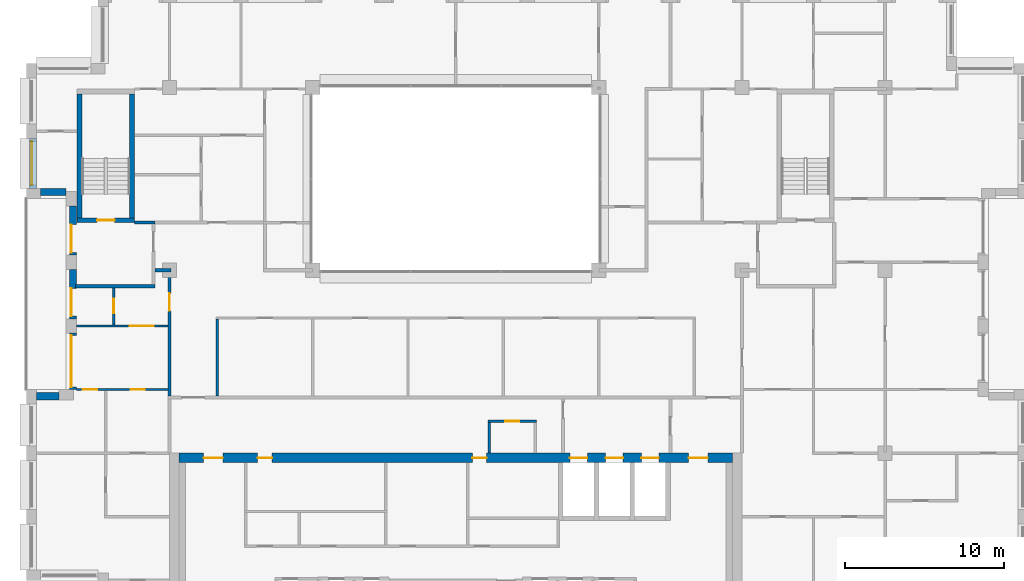
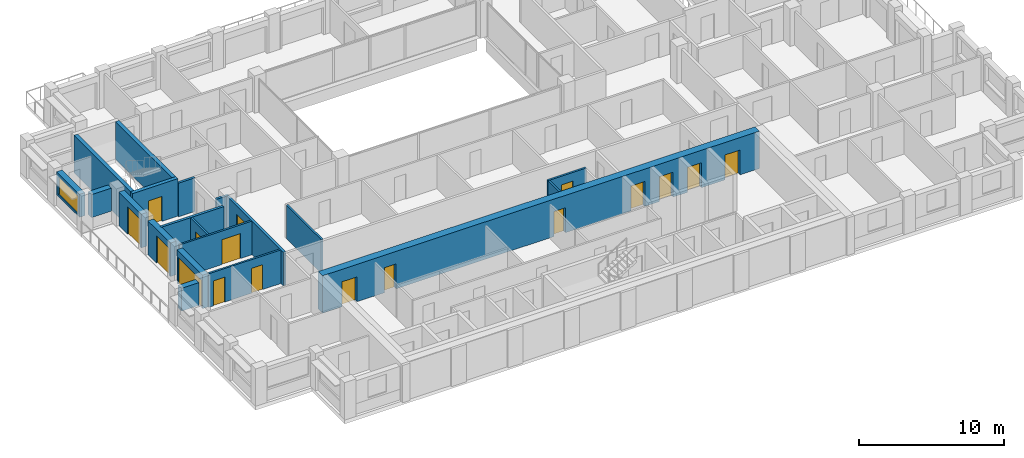
# One storey, part 9 of 16: 20 walls, 17 doors, 1 window, 18 openings.
"""IFC4 building model written with IfcOpenShell, lengths in metres."""

from ifc_helpers import new_model, si_unit, direction, frame, frame_2d, origin, place, context, subcontext, project, spatial, rectangle, extrude, material, layer, layer_set, type_object, element, fill, save


model = new_model("IFC4")

# Units and contexts
model_context = context("Model", 3, precision=1e-05, world=origin(), true_north=direction((0.0, 1.0)))
body_context = subcontext(model_context, "Body", "Model", "MODEL_VIEW")
ifc_project = project(units=[si_unit("LENGTHUNIT", "METRE"), si_unit("AREAUNIT", "SQUARE_METRE"), si_unit("VOLUMEUNIT", "CUBIC_METRE"), si_unit("PLANEANGLEUNIT", "RADIAN"), si_unit("MASSUNIT", "GRAM", prefix="KILO")], contexts=[model_context])

# Site, building, storey
site_placement = place(None, origin())
site = spatial("IfcSite", under=ifc_project, at=site_placement, CompositionType="ELEMENT")
building_placement = place(site_placement, origin())
building = spatial("IfcBuilding", under=site, at=building_placement, Name="Brigalow Station Residences", CompositionType="ELEMENT")
storey_placement = place(building_placement, frame((0.0, 0.0, 204.300048828125)))
storey = spatial("IfcBuildingStorey", under=building, at=storey_placement, Name="L58", CompositionType="ELEMENT", Elevation=204.300048828125)

# Wall, opening, window
ifc_material_1 = material(Name="Clay brick masonry", Category="masonry")
ifc_layer_1 = layer(ifc_material_1, 0.449951171875)
ifc_layer_set_1 = layer_set([ifc_layer_1], Name="BRICK INFILL WALL 450")
wall_type_1 = type_object("IfcWallType", Name="BRICK INFILL WALL 450", PredefinedType="SOLIDWALL", material=ifc_layer_set_1)
wall_1_placement = place(storey_placement, frame((9.425048828125, 32.300048828125, 0.89990234375), z_axis=(0.0, 0.0, 1.0), x_axis=(0.0, -1.0, 0.0)))
wall_1 = element("IfcWall", 1, at=wall_1_placement, inside=storey, type_object=wall_type_1, Name="L58/ewall/W-L58-35", PredefinedType="SOLIDWALL", context=body_context, shape_type="SweptSolid", body=[
    extrude(rectangle(XDim=3.150146484375, YDim=0.449951171875, at=frame_2d((1.5751953125, 0.0))), origin(), (0.0, 0.0, 1.0), 1.929931640625),
])
opening_1_placement = place(wall_1_placement, frame((0.199951171875, 0.0, 0.14990234375)))
opening_1 = element("IfcOpeningElement", 2, at=opening_1_placement, cuts=wall_1, Name="Opening WT-3", PredefinedType="OPENING", context=body_context, shape_type="SweptSolid", body=[
    extrude(rectangle(XDim=2.75, YDim=1.5, at=frame_2d((1.375, 0.75))), frame((0.0, 0.23486328125, 0.0), z_axis=(0.0, -1.0, 0.0), x_axis=(1.0, 0.0, 0.0)), (0.0, 0.0, 1.0), 0.469970703125),
])
ifc_material_2 = material(Name="Anodised aluminium frame with double glazing", Category="aluminium")
window_type = type_object("IfcWindowType", Name="WINDOW 2750x1500", PartitioningType="SINGLE_PANEL", PredefinedType="WINDOW", material=ifc_material_2)
window_placement = place(opening_1_placement, origin())
window = element("IfcWindow", 3, at=window_placement, inside=storey, type_object=window_type, Name="L58/window/W-L58-35", OverallHeight=1.5, OverallWidth=2.75, PartitioningType="SINGLE_PANEL", PredefinedType="WINDOW", context=body_context, shape_type="SweptSolid", body=[
    extrude(rectangle(XDim=2.75, YDim=1.5, at=frame_2d((1.375, 0.75))), frame((0.0, -0.06494140625, 0.0), z_axis=(0.0, -1.0, 0.0), x_axis=(1.0, 0.0, 0.0)), (0.0, 0.0, 1.0), 0.06005859375),
])
fill(opening_1, window)

# Wall
wall_2_placement = place(storey_placement, frame((9.89990234375, 28.925048828125, 0.89990234375), z_axis=(0.0, 0.0, 1.0), x_axis=(1.0, 0.0, 0.0)))
element("IfcWall", 4, at=wall_2_placement, inside=storey, type_object=wall_type_1, Name="L58/ewall/W-L58-36", PredefinedType="SOLIDWALL", context=body_context, shape_type="SweptSolid", body=[
    extrude(rectangle(XDim=1.60009765625, YDim=0.449951171875, at=frame_2d((0.800048828125, 0.0))), origin(), (0.0, 0.0, 1.0), 1.929931640625),
])

# Wall, opening, door
wall_3_placement = place(storey_placement, frame((11.925048828125, 28.050048828125, 0.0), z_axis=(0.0, 0.0, 1.0), x_axis=(0.0, -1.0, 0.0)))
wall_3 = element("IfcWall", 5, at=wall_3_placement, inside=storey, type_object=wall_type_1, Name="L58/ewall/W-L58-37", PredefinedType="SOLIDWALL", context=body_context, shape_type="SweptSolid", body=[
    extrude(rectangle(XDim=3.10009765625, YDim=0.449951171875, at=frame_2d((1.550048828125, 0.0))), origin(), (0.0, 0.0, 1.0), 2.829833984375),
])
opening_2_placement = place(wall_3_placement, frame((1.18505859375, 0.0, 0.0)))
opening_2 = element("IfcOpeningElement", 6, at=opening_2_placement, cuts=wall_3, Name="Opening D-B1750", PredefinedType="OPENING", context=body_context, shape_type="SweptSolid", body=[
    extrude(rectangle(XDim=1.75, YDim=2.300048828125, at=frame_2d((0.875, 1.14990234375))), frame((0.0, 0.23486328125, 0.0), z_axis=(0.0, -1.0, 0.0), x_axis=(1.0, 0.0, 0.0)), (0.0, 0.0, 1.0), 0.469970703125),
])
ifc_material_3 = material(Name="Anodised aluminium frame with double glazing", Category="aluminium")
door_type_1 = type_object("IfcDoorType", Name="BALCONY SLIDING DOOR 1750x2300", OperationType="SLIDING_TO_LEFT", PredefinedType="DOOR", material=ifc_material_3)
door_1_placement = place(opening_2_placement, frame((1.75, -0.18994140625, 0.0), z_axis=(0.0, 0.0, 1.0), x_axis=(-1.0, 0.0, 0.0)))
door_1 = element("IfcDoor", 7, at=door_1_placement, inside=storey, type_object=door_type_1, Name="L58/balcony-door/W-L58-37", OperationType="SLIDING_TO_LEFT", OverallHeight=2.300048828125, OverallWidth=1.75, PredefinedType="DOOR", context=body_context, shape_type="SweptSolid", body=[
    extrude(rectangle(XDim=1.75, YDim=2.300048828125, at=frame_2d((0.875, 1.14990234375))), frame((0.0, -0.06982421875, 0.0), z_axis=(0.0, -1.0, 0.0), x_axis=(1.0, 0.0, 0.0)), (0.0, 0.0, 1.0), 0.050048828125),
])
fill(opening_2, door_1)

wall_4_placement = place(storey_placement, frame((11.925048828125, 24.050048828125, 0.0), z_axis=(0.0, 0.0, 1.0), x_axis=(0.0, -1.0, 0.0)))
wall_4 = element("IfcWall", 8, at=wall_4_placement, inside=storey, type_object=wall_type_1, Name="L58/ewall/W-L58-38", PredefinedType="SOLIDWALL", context=body_context, shape_type="SweptSolid", body=[
    extrude(rectangle(XDim=3.10009765625, YDim=0.449951171875, at=frame_2d((1.550048828125, 0.0))), origin(), (0.0, 0.0, 1.0), 2.829833984375),
])
opening_3_placement = place(wall_4_placement, frame((1.18505859375, 0.0, 0.0)))
opening_3 = element("IfcOpeningElement", 9, at=opening_3_placement, cuts=wall_4, Name="Opening D-B1750", PredefinedType="OPENING", context=body_context, shape_type="SweptSolid", body=[
    extrude(rectangle(XDim=1.75, YDim=2.300048828125, at=frame_2d((0.875, 1.14990234375))), frame((0.0, 0.23486328125, 0.0), z_axis=(0.0, -1.0, 0.0), x_axis=(1.0, 0.0, 0.0)), (0.0, 0.0, 1.0), 0.469970703125),
])
door_2_placement = place(opening_3_placement, origin())
door_2 = element("IfcDoor", 10, at=door_2_placement, inside=storey, type_object=door_type_1, Name="L58/balcony-door/W-L58-38", OperationType="SLIDING_TO_LEFT", OverallHeight=2.300048828125, OverallWidth=1.75, PredefinedType="DOOR", context=body_context, shape_type="SweptSolid", body=[
    extrude(rectangle(XDim=1.75, YDim=2.300048828125, at=frame_2d((0.875, 1.14990234375))), frame((0.0, -0.06982421875, 0.0), z_axis=(0.0, -1.0, 0.0), x_axis=(1.0, 0.0, 0.0)), (0.0, 0.0, 1.0), 0.050048828125),
])
fill(opening_3, door_2)

wall_5_placement = place(storey_placement, frame((11.925048828125, 20.050048828125, 0.0), z_axis=(0.0, 0.0, 1.0), x_axis=(0.0, -1.0, 0.0)))
wall_5 = element("IfcWall", 11, at=wall_5_placement, inside=storey, type_object=wall_type_1, Name="L58/ewall/W-L58-39", PredefinedType="SOLIDWALL", context=body_context, shape_type="SweptSolid", body=[
    extrude(rectangle(XDim=3.550048828125, YDim=0.449951171875, at=frame_2d((1.77490234375, 0.0))), origin(), (0.0, 0.0, 1.0), 2.829833984375),
])
opening_4_placement = place(wall_5_placement, frame((0.14990234375, 0.0, 0.0)))
opening_4 = element("IfcOpeningElement", 12, at=opening_4_placement, cuts=wall_5, Name="Opening D-B3250", PredefinedType="OPENING", context=body_context, shape_type="SweptSolid", body=[
    extrude(rectangle(XDim=3.25, YDim=2.300048828125, at=frame_2d((1.625, 1.14990234375))), frame((0.0, 0.23486328125, 0.0), z_axis=(0.0, -1.0, 0.0), x_axis=(1.0, 0.0, 0.0)), (0.0, 0.0, 1.0), 0.469970703125),
])
ifc_material_4 = material(Name="Anodised aluminium frame with double glazing", Category="aluminium")
door_type_2 = type_object("IfcDoorType", Name="BALCONY SLIDING DOOR 3250x2300", OperationType="SLIDING_TO_LEFT", PredefinedType="DOOR", material=ifc_material_4)
door_3_placement = place(opening_4_placement, origin())
door_3 = element("IfcDoor", 13, at=door_3_placement, inside=storey, type_object=door_type_2, Name="L58/balcony-door/W-L58-39", OperationType="SLIDING_TO_LEFT", OverallHeight=2.300048828125, OverallWidth=3.25, PredefinedType="DOOR", context=body_context, shape_type="SweptSolid", body=[
    extrude(rectangle(XDim=3.25, YDim=2.300048828125, at=frame_2d((1.625, 1.14990234375))), frame((0.0, -0.06982421875, 0.0), z_axis=(0.0, -1.0, 0.0), x_axis=(1.0, 0.0, 0.0)), (0.0, 0.0, 1.0), 0.050048828125),
])
fill(opening_4, door_3)

# Wall
wall_6_placement = place(storey_placement, frame((11.050048828125, 16.074951171875, 0.89990234375), z_axis=(0.0, 0.0, 1.0), x_axis=(-1.0, 0.0, 0.0)))
element("IfcWall", 14, at=wall_6_placement, inside=storey, type_object=wall_type_1, Name="L58/ewall/W-L58-40", PredefinedType="SOLIDWALL", context=body_context, shape_type="SweptSolid", body=[
    extrude(rectangle(XDim=1.400146484375, YDim=0.449951171875, at=frame_2d((0.7001953125, 0.0))), origin(), (0.0, 0.0, 1.0), 1.929931640625),
])

# Wall, opening, door
ifc_material_5 = material(Name="Concrete C50", Category="concrete")
ifc_layer_2 = layer(ifc_material_5, 0.300048828125)
ifc_layer_set_2 = layer_set([ifc_layer_2], Name="CORE SHEAR WALL 300 C50")
wall_type_2 = type_object("IfcWallType", Name="CORE SHEAR WALL 300 C50", PredefinedType="SHEAR", material=ifc_layer_set_2)
wall_7_placement = place(storey_placement, frame((12.199951171875, 27.14990234375, 0.0), z_axis=(0.0, 0.0, 1.0), x_axis=(1.0, 0.0, 0.0)))
wall_7 = element("IfcWall", 15, at=wall_7_placement, inside=storey, type_object=wall_type_2, Name="CORE WALL ST-S1-S L58", PredefinedType="SHEAR", context=body_context, shape_type="SweptSolid", body=[
    extrude(rectangle(XDim=3.60009765625, YDim=0.300048828125, at=frame_2d((1.800048828125, 0.0))), origin(), (0.0, 0.0, 1.0), 3.14990234375),
])
opening_5_placement = place(wall_7_placement, frame((1.25, 0.0, 0.0)))
opening_5 = element("IfcOpeningElement", 16, at=opening_5_placement, cuts=wall_7, Name="Opening D-5015", PredefinedType="OPENING", context=body_context, shape_type="SweptSolid", body=[
    extrude(rectangle(XDim=1.10009765625, YDim=2.10009765625, at=frame_2d((0.550048828125, 1.050048828125))), frame((0.0, 0.16015625, 0.0), z_axis=(0.0, -1.0, 0.0), x_axis=(1.0, 0.0, 0.0)), (0.0, 0.0, 1.0), 0.320068359375),
])
ifc_material_6 = material(Name="Steel fire door leaf in steel frame", Category="steel")
door_type_3 = type_object("IfcDoorType", Name="STAIR DOOR 1100 x 2100 FD60S", OperationType="SINGLE_SWING_LEFT", PredefinedType="DOOR", material=ifc_material_6)
door_4_placement = place(opening_5_placement, origin())
door_4 = element("IfcDoor", 17, at=door_4_placement, inside=storey, type_object=door_type_3, Name="D-5015", OperationType="SINGLE_SWING_LEFT", OverallHeight=2.10009765625, OverallWidth=1.10009765625, PredefinedType="DOOR", context=body_context, shape_type="SweptSolid", body=[
    extrude(rectangle(XDim=1.10009765625, YDim=2.10009765625, at=frame_2d((0.550048828125, 1.050048828125))), frame((0.0, 0.02490234375, 0.0), z_axis=(0.0, -1.0, 0.0), x_axis=(1.0, 0.0, 0.0)), (0.0, 0.0, 1.0), 0.050048828125),
])
fill(opening_5, door_4)

# Walls
for number, where, z_axis, x_axis, name in (
    (18, (12.35009765625, 27.300048828125, 0.0), (0.0, 0.0, 1.0), (0.0, 1.0, 0.0), "CORE WALL ST-S1-W L58"),
    (19, (15.64990234375, 27.300048828125, 0.0), (0.0, 0.0, 1.0), (0.0, 1.0, 0.0), "CORE WALL ST-S1-E L58"),
):
    element("IfcWall", number, at=place(storey_placement, frame(where, z_axis=z_axis, x_axis=x_axis)), inside=storey, type_object=wall_type_2, Name=name, PredefinedType="SHEAR", context=body_context, shape_type="SweptSolid", body=[
        extrude(rectangle(XDim=7.800048828125, YDim=0.300048828125, at=frame_2d((3.89990234375, 0.0))), origin(), (0.0, 0.0, 1.0), 3.14990234375),
    ])

# Wall, openings, doors
ifc_material_7 = material(Name="Concrete C50", Category="concrete")
ifc_layer_3 = layer(ifc_material_7, 0.60009765625)
ifc_layer_set_3 = layer_set([ifc_layer_3], Name="CORE SHEAR WALL 600 C50")
wall_type_3 = type_object("IfcWallType", Name="CORE SHEAR WALL 600 C50", PredefinedType="SHEAR", material=ifc_layer_set_3)
wall_8_placement = place(storey_placement, frame((18.60009765625, 12.199951171875, 0.0), z_axis=(0.0, 0.0, 1.0), x_axis=(1.0, 0.0, 0.0)))
wall_8 = element("IfcWall", 20, at=wall_8_placement, inside=storey, type_object=wall_type_3, Name="CORE WALL OUT-N L58", PredefinedType="SHEAR", context=body_context, shape_type="SweptSolid", body=[
    extrude(rectangle(XDim=34.7998046875, YDim=0.60009765625, at=frame_2d((17.39990234375, 0.0))), origin(), (0.0, 0.0, 1.0), 3.14990234375),
])
opening_6_placement = place(wall_8_placement, frame((24.574951171875, 0.0, 0.0)))
opening_6 = element("IfcOpeningElement", 21, at=opening_6_placement, cuts=wall_8, Name="Opening LD-LF1", PredefinedType="OPENING", context=body_context, shape_type="SweptSolid", body=[
    extrude(rectangle(XDim=1.10009765625, YDim=2.10009765625, at=frame_2d((0.550048828125, 1.050048828125))), frame((0.0, 0.31005859375, 0.0), z_axis=(0.0, -1.0, 0.0), x_axis=(1.0, 0.0, 0.0)), (0.0, 0.0, 1.0), 0.6201171875),
])
opening_7_placement = place(wall_8_placement, frame((26.824951171875, 0.0, 0.0)))
opening_7 = element("IfcOpeningElement", 22, at=opening_7_placement, cuts=wall_8, Name="Opening LD-LF2", PredefinedType="OPENING", context=body_context, shape_type="SweptSolid", body=[
    extrude(rectangle(XDim=1.10009765625, YDim=2.10009765625, at=frame_2d((0.550048828125, 1.050048828125))), frame((0.0, 0.31005859375, 0.0), z_axis=(0.0, -1.0, 0.0), x_axis=(1.0, 0.0, 0.0)), (0.0, 0.0, 1.0), 0.6201171875),
])
opening_8_placement = place(wall_8_placement, frame((29.074951171875, 0.0, 0.0)))
opening_8 = element("IfcOpeningElement", 23, at=opening_8_placement, cuts=wall_8, Name="Opening LD-LG1", PredefinedType="OPENING", context=body_context, shape_type="SweptSolid", body=[
    extrude(rectangle(XDim=1.10009765625, YDim=2.10009765625, at=frame_2d((0.550048828125, 1.050048828125))), frame((0.0, 0.31005859375, 0.0), z_axis=(0.0, -1.0, 0.0), x_axis=(1.0, 0.0, 0.0)), (0.0, 0.0, 1.0), 0.6201171875),
])
opening_9_placement = place(wall_8_placement, frame((4.949951171875, 0.0, 0.0)))
opening_9 = element("IfcOpeningElement", 24, at=opening_9_placement, cuts=wall_8, Name="Opening D-5118", PredefinedType="OPENING", context=body_context, shape_type="SweptSolid", body=[
    extrude(rectangle(XDim=0.89990234375, YDim=2.10009765625, at=frame_2d((0.449951171875, 1.050048828125))), frame((0.0, 0.31005859375, 0.0), z_axis=(0.0, -1.0, 0.0), x_axis=(1.0, 0.0, 0.0)), (0.0, 0.0, 1.0), 0.6201171875),
])
opening_10_placement = place(wall_8_placement, frame((18.449951171875, 0.0, 0.0)))
opening_10 = element("IfcOpeningElement", 25, at=opening_10_placement, cuts=wall_8, Name="Opening D-5119", PredefinedType="OPENING", context=body_context, shape_type="SweptSolid", body=[
    extrude(rectangle(XDim=0.89990234375, YDim=2.10009765625, at=frame_2d((0.449951171875, 1.050048828125))), frame((0.0, 0.31005859375, 0.0), z_axis=(0.0, -1.0, 0.0), x_axis=(1.0, 0.0, 0.0)), (0.0, 0.0, 1.0), 0.6201171875),
])
opening_11_placement = place(wall_8_placement, frame((1.550048828125, 0.0, 0.0)))
opening_11 = element("IfcOpeningElement", 26, at=opening_11_placement, cuts=wall_8, Name="Opening D-5011", PredefinedType="OPENING", context=body_context, shape_type="SweptSolid", body=[
    extrude(rectangle(XDim=1.199951171875, YDim=2.10009765625, at=frame_2d((0.60009765625, 1.050048828125))), frame((0.0, 0.31005859375, 0.0), z_axis=(0.0, -1.0, 0.0), x_axis=(1.0, 0.0, 0.0)), (0.0, 0.0, 1.0), 0.6201171875),
])
opening_12_placement = place(wall_8_placement, frame((32.050048828125, 0.0, 0.0)))
opening_12 = element("IfcOpeningElement", 27, at=opening_12_placement, cuts=wall_8, Name="Opening D-5012", PredefinedType="OPENING", context=body_context, shape_type="SweptSolid", body=[
    extrude(rectangle(XDim=1.199951171875, YDim=2.10009765625, at=frame_2d((0.60009765625, 1.050048828125))), frame((0.0, 0.31005859375, 0.0), z_axis=(0.0, -1.0, 0.0), x_axis=(1.0, 0.0, 0.0)), (0.0, 0.0, 1.0), 0.6201171875),
])
ifc_material_8 = material(Name="Steel fire door leaf in steel frame", Category="steel")
door_type_4 = type_object("IfcDoorType", Name="CORE CORRIDOR DOOR 1200 x 2100 FD60S", OperationType="SINGLE_SWING_LEFT", PredefinedType="DOOR", material=ifc_material_8)
door_5_placement = place(opening_11_placement, frame((1.199951171875, 0.0, 0.0), z_axis=(0.0, 0.0, 1.0), x_axis=(-1.0, 0.0, 0.0)))
door_5 = element("IfcDoor", 28, at=door_5_placement, inside=storey, type_object=door_type_4, Name="D-5011", OperationType="SINGLE_SWING_LEFT", OverallHeight=2.10009765625, OverallWidth=1.199951171875, PredefinedType="DOOR", context=body_context, shape_type="SweptSolid", body=[
    extrude(rectangle(XDim=1.199951171875, YDim=2.10009765625, at=frame_2d((0.60009765625, 1.050048828125))), frame((0.0, 0.02490234375, 0.0), z_axis=(0.0, -1.0, 0.0), x_axis=(1.0, 0.0, 0.0)), (0.0, 0.0, 1.0), 0.050048828125),
])
fill(opening_11, door_5)
door_6_placement = place(opening_12_placement, frame((1.199951171875, 0.0, 0.0), z_axis=(0.0, 0.0, 1.0), x_axis=(-1.0, 0.0, 0.0)))
door_6 = element("IfcDoor", 29, at=door_6_placement, inside=storey, type_object=door_type_4, Name="D-5012", OperationType="SINGLE_SWING_LEFT", OverallHeight=2.10009765625, OverallWidth=1.199951171875, PredefinedType="DOOR", context=body_context, shape_type="SweptSolid", body=[
    extrude(rectangle(XDim=1.199951171875, YDim=2.10009765625, at=frame_2d((0.60009765625, 1.050048828125))), frame((0.0, 0.02490234375, 0.0), z_axis=(0.0, -1.0, 0.0), x_axis=(1.0, 0.0, 0.0)), (0.0, 0.0, 1.0), 0.050048828125),
])
fill(opening_12, door_6)
ifc_material_9 = material(Name="Stainless steel sliding door leaves", Category="steel")
door_type_5 = type_object("IfcDoorType", Name="LIFT LANDING DOOR 1100 x 2100", OperationType="DOUBLE_DOOR_SLIDING", PredefinedType="DOOR", material=ifc_material_9)
door_7_placement = place(opening_6_placement, origin())
door_7 = element("IfcDoor", 30, at=door_7_placement, inside=storey, type_object=door_type_5, Name="LANDING DOOR LF1", OperationType="DOUBLE_DOOR_SLIDING", OverallHeight=2.10009765625, OverallWidth=1.10009765625, PredefinedType="DOOR", context=body_context, shape_type="SweptSolid", body=[
    extrude(rectangle(XDim=1.10009765625, YDim=2.10009765625, at=frame_2d((0.550048828125, 1.050048828125))), frame((0.0, 0.02490234375, 0.0), z_axis=(0.0, -1.0, 0.0), x_axis=(1.0, 0.0, 0.0)), (0.0, 0.0, 1.0), 0.050048828125),
])
fill(opening_6, door_7)
door_8_placement = place(opening_7_placement, origin())
door_8 = element("IfcDoor", 31, at=door_8_placement, inside=storey, type_object=door_type_5, Name="LANDING DOOR LF2", OperationType="DOUBLE_DOOR_SLIDING", OverallHeight=2.10009765625, OverallWidth=1.10009765625, PredefinedType="DOOR", context=body_context, shape_type="SweptSolid", body=[
    extrude(rectangle(XDim=1.10009765625, YDim=2.10009765625, at=frame_2d((0.550048828125, 1.050048828125))), frame((0.0, 0.02490234375, 0.0), z_axis=(0.0, -1.0, 0.0), x_axis=(1.0, 0.0, 0.0)), (0.0, 0.0, 1.0), 0.050048828125),
])
fill(opening_7, door_8)
door_9_placement = place(opening_8_placement, origin())
door_9 = element("IfcDoor", 32, at=door_9_placement, inside=storey, type_object=door_type_5, Name="LANDING DOOR LG1", OperationType="DOUBLE_DOOR_SLIDING", OverallHeight=2.10009765625, OverallWidth=1.10009765625, PredefinedType="DOOR", context=body_context, shape_type="SweptSolid", body=[
    extrude(rectangle(XDim=1.10009765625, YDim=2.10009765625, at=frame_2d((0.550048828125, 1.050048828125))), frame((0.0, 0.02490234375, 0.0), z_axis=(0.0, -1.0, 0.0), x_axis=(1.0, 0.0, 0.0)), (0.0, 0.0, 1.0), 0.050048828125),
])
fill(opening_8, door_9)
ifc_material_10 = material(Name="Steel door leaf in steel frame", Category="steel")
door_type_6 = type_object("IfcDoorType", Name="SERVICE ROOM DOOR 900 x 2100 FD60", OperationType="SINGLE_SWING_LEFT", PredefinedType="DOOR", material=ifc_material_10)
door_10_placement = place(opening_9_placement, frame((0.89990234375, 0.0, 0.0), z_axis=(0.0, 0.0, 1.0), x_axis=(-1.0, 0.0, 0.0)))
door_10 = element("IfcDoor", 33, at=door_10_placement, inside=storey, type_object=door_type_6, Name="D-5118", OperationType="SINGLE_SWING_RIGHT", OverallHeight=2.10009765625, OverallWidth=0.89990234375, PredefinedType="DOOR", context=body_context, shape_type="SweptSolid", body=[
    extrude(rectangle(XDim=0.89990234375, YDim=2.10009765625, at=frame_2d((0.449951171875, 1.050048828125))), frame((0.0, 0.02490234375, 0.0), z_axis=(0.0, -1.0, 0.0), x_axis=(1.0, 0.0, 0.0)), (0.0, 0.0, 1.0), 0.050048828125),
])
fill(opening_9, door_10)
door_11_placement = place(opening_10_placement, frame((0.89990234375, 0.0, 0.0), z_axis=(0.0, 0.0, 1.0), x_axis=(-1.0, 0.0, 0.0)))
door_11 = element("IfcDoor", 34, at=door_11_placement, inside=storey, type_object=door_type_6, Name="D-5119", OperationType="SINGLE_SWING_RIGHT", OverallHeight=2.10009765625, OverallWidth=0.89990234375, PredefinedType="DOOR", context=body_context, shape_type="SweptSolid", body=[
    extrude(rectangle(XDim=0.89990234375, YDim=2.10009765625, at=frame_2d((0.449951171875, 1.050048828125))), frame((0.0, 0.02490234375, 0.0), z_axis=(0.0, -1.0, 0.0), x_axis=(1.0, 0.0, 0.0)), (0.0, 0.0, 1.0), 0.050048828125),
])
fill(opening_10, door_11)

# Walls
ifc_material_11 = material(Name="Concrete blockwork", Category="masonry")
ifc_layer_4 = layer(ifc_material_11, 0.199951171875)
ifc_layer_set_4 = layer_set([ifc_layer_4], Name="FIRE RATED CORE PARTITION 200")
wall_type_4 = type_object("IfcWallType", Name="FIRE RATED CORE PARTITION 200", PredefinedType="PARTITIONING", material=ifc_layer_set_4)
wall_9_placement = place(storey_placement, frame((12.10009765625, 23.0, 0.0), z_axis=(0.0, 0.0, 1.0), x_axis=(1.0, 0.0, 0.0)))
element("IfcWall", 35, at=wall_9_placement, inside=storey, type_object=wall_type_4, Name="PW-5023", PredefinedType="PARTITIONING", context=body_context, shape_type="SweptSolid", body=[
    extrude(rectangle(XDim=5.0, YDim=0.199951171875, at=frame_2d((2.5, 0.0))), origin(), (0.0, 0.0, 1.0), 2.829833984375),
])
wall_10_placement = place(storey_placement, frame((15.800048828125, 27.0, 0.0), z_axis=(0.0, 0.0, 1.0), x_axis=(1.0, 0.0, 0.0)))
element("IfcWall", 36, at=wall_10_placement, inside=storey, type_object=wall_type_4, Name="PW-5025", PredefinedType="PARTITIONING", context=body_context, shape_type="SweptSolid", body=[
    extrude(rectangle(XDim=1.300048828125, YDim=0.199951171875, at=frame_2d((0.64990234375, 0.0))), origin(), (0.0, 0.0, 1.0), 2.829833984375),
])

# Wall, opening, door
ifc_material_12 = material(Name="Plasterboard on steel stud partition", Category="steel")
ifc_layer_5 = layer(ifc_material_12, 0.14990234375)
ifc_layer_set_5 = layer_set([ifc_layer_5], Name="FLAT PARTITION 150")
wall_type_5 = type_object("IfcWallType", Name="FLAT PARTITION 150", PredefinedType="PARTITIONING", material=ifc_layer_set_5)
wall_11_placement = place(storey_placement, frame((12.14990234375, 20.5, 0.0), z_axis=(0.0, 0.0, 1.0), x_axis=(1.0, 0.0, 0.0)))
wall_11 = element("IfcWall", 37, at=wall_11_placement, inside=storey, type_object=wall_type_5, Name="PW-4A09", PredefinedType="PARTITIONING", context=body_context, shape_type="SweptSolid", body=[
    extrude(rectangle(XDim=5.75, YDim=0.14990234375, at=frame_2d((2.875, 0.0))), origin(), (0.0, 0.0, 1.0), 2.829833984375),
])
opening_13_placement = place(wall_11_placement, frame((3.35009765625, 0.0, 0.0)))
opening_13 = element("IfcOpeningElement", 38, at=opening_13_placement, cuts=wall_11, Name="Opening D-4A05", PredefinedType="OPENING", context=body_context, shape_type="SweptSolid", body=[
    extrude(rectangle(XDim=1.5, YDim=2.10009765625, at=frame_2d((0.75, 1.050048828125))), frame((0.0, 0.0849609375, 0.0), z_axis=(0.0, -1.0, 0.0), x_axis=(1.0, 0.0, 0.0)), (0.0, 0.0, 1.0), 0.169921875),
])
ifc_material_13 = material(Name="Solid-core timber door leaf", Category="wood")
door_type_7 = type_object("IfcDoorType", Name="INTERNAL DOUBLE DOOR 1500 x 2100", OperationType="DOUBLE_DOOR_SINGLE_SWING", PredefinedType="DOOR", material=ifc_material_13)
door_12_placement = place(opening_13_placement, origin())
door_12 = element("IfcDoor", 39, at=door_12_placement, inside=storey, type_object=door_type_7, Name="D-4A05", OperationType="DOUBLE_DOOR_SINGLE_SWING", OverallHeight=2.10009765625, OverallWidth=1.5, PredefinedType="DOOR", context=body_context, shape_type="SweptSolid", body=[
    extrude(rectangle(XDim=1.5, YDim=2.10009765625, at=frame_2d((0.75, 1.050048828125))), frame((0.0, 0.02490234375, 0.0), z_axis=(0.0, -1.0, 0.0), x_axis=(1.0, 0.0, 0.0)), (0.0, 0.0, 1.0), 0.050048828125),
])
fill(opening_13, door_12)

# Wall, openings, doors
wall_12_placement = place(storey_placement, frame((12.14990234375, 16.5, 0.0), z_axis=(0.0, 0.0, 1.0), x_axis=(1.0, 0.0, 0.0)))
wall_12 = element("IfcWall", 40, at=wall_12_placement, inside=storey, type_object=wall_type_5, Name="PW-4A10", PredefinedType="PARTITIONING", context=body_context, shape_type="SweptSolid", body=[
    extrude(rectangle(XDim=5.75, YDim=0.14990234375, at=frame_2d((2.875, 0.0))), origin(), (0.0, 0.0, 1.0), 2.829833984375),
])
opening_14_placement = place(wall_12_placement, frame((3.39990234375, 0.0, 0.0)))
opening_14 = element("IfcOpeningElement", 41, at=opening_14_placement, cuts=wall_12, Name="Opening D-4A06", PredefinedType="OPENING", context=body_context, shape_type="SweptSolid", body=[
    extrude(rectangle(XDim=0.89990234375, YDim=2.10009765625, at=frame_2d((0.449951171875, 1.050048828125))), frame((0.0, 0.0849609375, 0.0), z_axis=(0.0, -1.0, 0.0), x_axis=(1.0, 0.0, 0.0)), (0.0, 0.0, 1.0), 0.169921875),
])
opening_15_placement = place(wall_12_placement, frame((0.39990234375, 0.0, 0.0)))
opening_15 = element("IfcOpeningElement", 42, at=opening_15_placement, cuts=wall_12, Name="Opening D-4A07", PredefinedType="OPENING", context=body_context, shape_type="SweptSolid", body=[
    extrude(rectangle(XDim=0.89990234375, YDim=2.10009765625, at=frame_2d((0.449951171875, 1.050048828125))), frame((0.0, 0.0849609375, 0.0), z_axis=(0.0, -1.0, 0.0), x_axis=(1.0, 0.0, 0.0)), (0.0, 0.0, 1.0), 0.169921875),
])
ifc_material_14 = material(Name="Solid-core timber door leaf", Category="wood")
door_type_8 = type_object("IfcDoorType", Name="INTERNAL DOOR 900 x 2100", OperationType="SINGLE_SWING_LEFT", PredefinedType="DOOR", material=ifc_material_14)
door_13_placement = place(opening_14_placement, frame((0.89990234375, 0.0, 0.0), z_axis=(0.0, 0.0, 1.0), x_axis=(-1.0, 0.0, 0.0)))
door_13 = element("IfcDoor", 43, at=door_13_placement, inside=storey, type_object=door_type_8, Name="D-4A06", OperationType="SINGLE_SWING_LEFT", OverallHeight=2.10009765625, OverallWidth=0.89990234375, PredefinedType="DOOR", context=body_context, shape_type="SweptSolid", body=[
    extrude(rectangle(XDim=0.89990234375, YDim=2.10009765625, at=frame_2d((0.449951171875, 1.050048828125))), frame((0.0, 0.02490234375, 0.0), z_axis=(0.0, -1.0, 0.0), x_axis=(1.0, 0.0, 0.0)), (0.0, 0.0, 1.0), 0.050048828125),
])
fill(opening_14, door_13)
door_14_placement = place(opening_15_placement, frame((0.89990234375, 0.0, 0.0), z_axis=(0.0, 0.0, 1.0), x_axis=(-1.0, 0.0, 0.0)))
door_14 = element("IfcDoor", 44, at=door_14_placement, inside=storey, type_object=door_type_8, Name="D-4A07", OperationType="SINGLE_SWING_RIGHT", OverallHeight=2.10009765625, OverallWidth=0.89990234375, PredefinedType="DOOR", context=body_context, shape_type="SweptSolid", body=[
    extrude(rectangle(XDim=0.89990234375, YDim=2.10009765625, at=frame_2d((0.449951171875, 1.050048828125))), frame((0.0, 0.02490234375, 0.0), z_axis=(0.0, -1.0, 0.0), x_axis=(1.0, 0.0, 0.0)), (0.0, 0.0, 1.0), 0.050048828125),
])
fill(opening_15, door_14)

# Wall
wall_13_placement = place(storey_placement, frame((21.0, 16.10009765625, 0.0), z_axis=(0.0, 0.0, 1.0), x_axis=(0.0, 1.0, 0.0)))
element("IfcWall", 45, at=wall_13_placement, inside=storey, type_object=wall_type_5, Name="PW-4A37", PredefinedType="PARTITIONING", context=body_context, shape_type="SweptSolid", body=[
    extrude(rectangle(XDim=4.824951171875, YDim=0.14990234375, at=frame_2d((2.41259765625, 0.0))), origin(), (0.0, 0.0, 1.0), 2.829833984375),
])

# Wall, opening, door
wall_14_placement = place(storey_placement, frame((14.5, 20.574951171875, 0.0), z_axis=(0.0, 0.0, 1.0), x_axis=(0.0, 1.0, 0.0)))
wall_14 = element("IfcWall", 46, at=wall_14_placement, inside=storey, type_object=wall_type_5, Name="PW-4A42", PredefinedType="PARTITIONING", context=body_context, shape_type="SweptSolid", body=[
    extrude(rectangle(XDim=2.324951171875, YDim=0.14990234375, at=frame_2d((1.16259765625, 0.0))), origin(), (0.0, 0.0, 1.0), 2.829833984375),
])
opening_16_placement = place(wall_14_placement, frame((0.72509765625, 0.0, 0.0)))
opening_16 = element("IfcOpeningElement", 47, at=opening_16_placement, cuts=wall_14, Name="Opening D-4A04", PredefinedType="OPENING", context=body_context, shape_type="SweptSolid", body=[
    extrude(rectangle(XDim=0.89990234375, YDim=2.10009765625, at=frame_2d((0.449951171875, 1.050048828125))), frame((0.0, 0.0849609375, 0.0), z_axis=(0.0, -1.0, 0.0), x_axis=(1.0, 0.0, 0.0)), (0.0, 0.0, 1.0), 0.169921875),
])
door_15_placement = place(opening_16_placement, origin())
door_15 = element("IfcDoor", 48, at=door_15_placement, inside=storey, type_object=door_type_8, Name="D-4A04", OperationType="SINGLE_SWING_RIGHT", OverallHeight=2.10009765625, OverallWidth=0.89990234375, PredefinedType="DOOR", context=body_context, shape_type="SweptSolid", body=[
    extrude(rectangle(XDim=0.89990234375, YDim=2.10009765625, at=frame_2d((0.449951171875, 1.050048828125))), frame((0.0, 0.02490234375, 0.0), z_axis=(0.0, -1.0, 0.0), x_axis=(1.0, 0.0, 0.0)), (0.0, 0.0, 1.0), 0.050048828125),
])
fill(opening_16, door_15)

# Wall
ifc_material_15 = material(Name="Plasterboard on steel stud partition", Category="steel")
ifc_layer_6 = layer(ifc_material_15, 0.199951171875)
ifc_layer_set_6 = layer_set([ifc_layer_6], Name="PARTY AND CORRIDOR WALL 200")
wall_type_6 = type_object("IfcWallType", Name="PARTY AND CORRIDOR WALL 200", PredefinedType="PARTITIONING", material=ifc_layer_set_6)
wall_15_placement = place(storey_placement, frame((17.10009765625, 24.0, 0.0), z_axis=(0.0, 0.0, 1.0), x_axis=(1.0, 0.0, 0.0)))
element("IfcWall", 49, at=wall_15_placement, inside=storey, type_object=wall_type_6, Name="PW-4A01", PredefinedType="PARTITIONING", context=body_context, shape_type="SweptSolid", body=[
    extrude(rectangle(XDim=1.0, YDim=0.199951171875, at=frame_2d((0.5, 0.0))), origin(), (0.0, 0.0, 1.0), 2.829833984375),
])

# Wall, opening, door
wall_16_placement = place(storey_placement, frame((18.0, 16.10009765625, 0.0), z_axis=(0.0, 0.0, 1.0), x_axis=(0.0, 1.0, 0.0)))
wall_16 = element("IfcWall", 50, at=wall_16_placement, inside=storey, type_object=wall_type_6, Name="PW-4A34", PredefinedType="PARTITIONING", context=body_context, shape_type="SweptSolid", body=[
    extrude(rectangle(XDim=7.7998046875, YDim=0.199951171875, at=frame_2d((3.89990234375, 0.0))), origin(), (0.0, 0.0, 1.0), 2.829833984375),
])
opening_17_placement = place(wall_16_placement, frame((5.35009765625, 0.0, 0.0)))
opening_17 = element("IfcOpeningElement", 51, at=opening_17_placement, cuts=wall_16, Name="Opening D-4A03", PredefinedType="OPENING", context=body_context, shape_type="SweptSolid", body=[
    extrude(rectangle(XDim=1.10009765625, YDim=2.10009765625, at=frame_2d((0.550048828125, 1.050048828125))), frame((0.0, 0.10986328125, 0.0), z_axis=(0.0, -1.0, 0.0), x_axis=(1.0, 0.0, 0.0)), (0.0, 0.0, 1.0), 0.219970703125),
])
ifc_material_16 = material(Name="Solid-core timber door leaf", Category="wood")
door_type_9 = type_object("IfcDoorType", Name="FLAT ENTRANCE DOOR 1100 x 2100 FRL -/60/30", OperationType="SINGLE_SWING_LEFT", PredefinedType="DOOR", material=ifc_material_16)
door_16_placement = place(opening_17_placement, origin())
door_16 = element("IfcDoor", 52, at=door_16_placement, inside=storey, type_object=door_type_9, Name="D-4A03", OperationType="SINGLE_SWING_LEFT", OverallHeight=2.10009765625, OverallWidth=1.10009765625, PredefinedType="DOOR", context=body_context, shape_type="SweptSolid", body=[
    extrude(rectangle(XDim=1.10009765625, YDim=2.10009765625, at=frame_2d((0.550048828125, 1.050048828125))), frame((0.0, 0.02490234375, 0.0), z_axis=(0.0, -1.0, 0.0), x_axis=(1.0, 0.0, 0.0)), (0.0, 0.0, 1.0), 0.050048828125),
])
fill(opening_17, door_16)

ifc_material_17 = material(Name="Plasterboard on steel studs", Category="steel")
ifc_layer_7 = layer(ifc_material_17, 0.14990234375)
ifc_layer_set_7 = layer_set([ifc_layer_7], Name="SERVICE ROOM PARTITION 150")
wall_type_7 = type_object("IfcWallType", Name="SERVICE ROOM PARTITION 150", PredefinedType="PARTITIONING", material=ifc_layer_set_7)
wall_17_placement = place(storey_placement, frame((38.02490234375, 14.5, 0.0), z_axis=(0.0, 0.0, 1.0), x_axis=(1.0, 0.0, 0.0)))
wall_17 = element("IfcWall", 53, at=wall_17_placement, inside=storey, type_object=wall_type_7, Name="PW-5138", PredefinedType="PARTITIONING", context=body_context, shape_type="SweptSolid", body=[
    extrude(rectangle(XDim=3.050048828125, YDim=0.14990234375, at=frame_2d((1.52490234375, 0.0))), origin(), (0.0, 0.0, 1.0), 2.829833984375),
])
opening_18_placement = place(wall_17_placement, frame((1.074951171875, 0.0, 0.0)))
opening_18 = element("IfcOpeningElement", 54, at=opening_18_placement, cuts=wall_17, Name="Opening D-5079", PredefinedType="OPENING", context=body_context, shape_type="SweptSolid", body=[
    extrude(rectangle(XDim=0.89990234375, YDim=2.10009765625, at=frame_2d((0.449951171875, 1.050048828125))), frame((0.0, 0.0849609375, 0.0), z_axis=(0.0, -1.0, 0.0), x_axis=(1.0, 0.0, 0.0)), (0.0, 0.0, 1.0), 0.169921875),
])
door_17_placement = place(opening_18_placement, frame((0.89990234375, 0.0, 0.0), z_axis=(0.0, 0.0, 1.0), x_axis=(-1.0, 0.0, 0.0)))
door_17 = element("IfcDoor", 55, at=door_17_placement, inside=storey, type_object=door_type_6, Name="D-5079", OperationType="SINGLE_SWING_RIGHT", OverallHeight=2.10009765625, OverallWidth=0.89990234375, PredefinedType="DOOR", context=body_context, shape_type="SweptSolid", body=[
    extrude(rectangle(XDim=0.89990234375, YDim=2.10009765625, at=frame_2d((0.449951171875, 1.050048828125))), frame((0.0, 0.02490234375, 0.0), z_axis=(0.0, -1.0, 0.0), x_axis=(1.0, 0.0, 0.0)), (0.0, 0.0, 1.0), 0.050048828125),
])
fill(opening_18, door_17)

# Wall
wall_18_placement = place(storey_placement, frame((38.10009765625, 12.5, 0.0), z_axis=(0.0, 0.0, 1.0), x_axis=(0.0, 1.0, 0.0)))
element("IfcWall", 56, at=wall_18_placement, inside=storey, type_object=wall_type_7, Name="PW-5139", PredefinedType="PARTITIONING", context=body_context, shape_type="SweptSolid", body=[
    extrude(rectangle(XDim=1.925048828125, YDim=0.14990234375, at=frame_2d((0.96240234375, 0.0))), origin(), (0.0, 0.0, 1.0), 2.829833984375),
])

save(model, "model.ifc")
